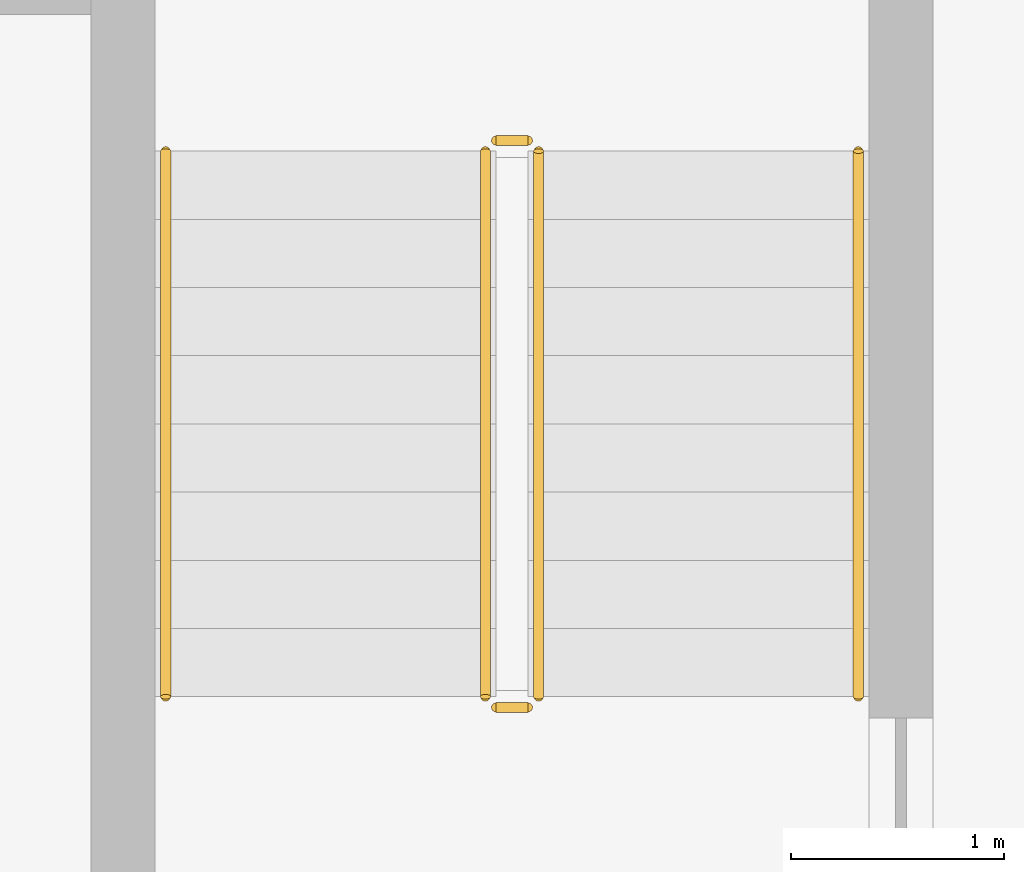
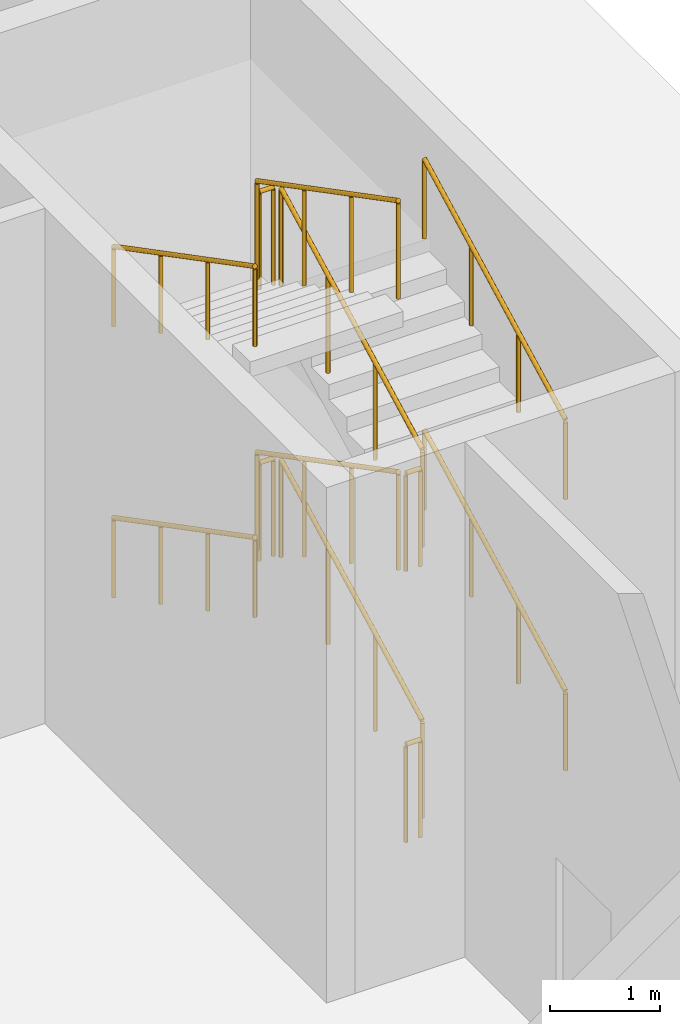
# One storey, part 43 of 44: 12 railings.
"""IFC4 building model written with IfcOpenShell, lengths in metres."""

from ifc_helpers import new_model, si_unit, direction, frame, origin, origin_2d, place, context, subcontext, project, spatial, circle, extrude, material, type_object, element, save


model = new_model("IFC4")

# Units and contexts
model_context = context("Model", 3, precision=1e-05, world=origin(), true_north=direction((0.0, 1.0)))
body_context = subcontext(model_context, "Body", "Model", "MODEL_VIEW")
ifc_project = project(units=[si_unit("LENGTHUNIT", "METRE"), si_unit("AREAUNIT", "SQUARE_METRE"), si_unit("VOLUMEUNIT", "CUBIC_METRE"), si_unit("PLANEANGLEUNIT", "RADIAN"), si_unit("MASSUNIT", "GRAM", prefix="KILO")], contexts=[model_context])

# Site, building, storey
site_placement = place(None, origin())
site = spatial("IfcSite", under=ifc_project, at=site_placement, CompositionType="ELEMENT")
building_placement = place(site_placement, origin())
building = spatial("IfcBuilding", under=site, at=building_placement, Name="Madar Terraces", CompositionType="ELEMENT")
storey_placement = place(building_placement, origin())
storey = spatial("IfcBuildingStorey", under=building, at=storey_placement, Name="L00", CompositionType="ELEMENT", Elevation=0.0)

# Railings
ifc_material_1 = material(Name="Stainless steel railing", Category="steel")
railing_type_1 = type_object("IfcRailingType", Name="Stair guard 1100", PredefinedType="GUARDRAIL", material=ifc_material_1)
railing_1_placement = place(storey_placement, frame((67.75, 6.300048828125, 0.166748046875)))
element("IfcRailing", 1, at=railing_1_placement, inside=storey, type_object=railing_type_1, Name="L00 PS3 stair guard 1", PredefinedType="GUARDRAIL", context=body_context, shape_type="SweptSolid", body=[
    extrude(circle(Radius=0.02392578125, at=origin_2d()), frame((0.0, 0.0, 1.076171875), z_axis=(0.0, 0.886929966286, 0.461903923888), x_axis=(-1.0, 0.0, 0.0)), (0.0, 0.0, 1.0), 2.886474609375),
    extrude(circle(Radius=0.02099609375, at=origin_2d()), origin(), (0.0, 0.0, 1.0), 1.052001953125),
    extrude(circle(Radius=0.02099609375, at=origin_2d()), frame((0.0, 0.853271484375, 0.4443359375)), (0.0, 0.0, 1.0), 1.052001953125),
    extrude(circle(Radius=0.02099609375, at=origin_2d()), frame((0.0, 1.706787109375, 0.888916015625)), (0.0, 0.0, 1.0), 1.052001953125),
    extrude(circle(Radius=0.02099609375, at=origin_2d()), frame((0.0, 2.56005859375, 1.333251953125)), (0.0, 0.0, 1.0), 1.052001953125),
])
railing_2_placement = place(storey_placement, frame((67.699951171875, 8.909912109375, 1.5)))
element("IfcRailing", 2, at=railing_2_placement, inside=storey, type_object=railing_type_1, Name="L00 PS3 stair guard 2", PredefinedType="GUARDRAIL", context=body_context, shape_type="SweptSolid", body=[
    extrude(circle(Radius=0.02392578125, at=origin_2d()), frame((0.0, 0.0, 1.076171875), z_axis=(-1.0, 0.0, 0.0), x_axis=(0.0, -1.0, 0.0)), (0.0, 0.0, 1.0), 0.14990234375),
    extrude(circle(Radius=0.02099609375, at=origin_2d()), origin(), (0.0, 0.0, 1.0), 1.052001953125),
    extrude(circle(Radius=0.02099609375, at=origin_2d()), frame((-0.14990234375, 0.0, 0.0)), (0.0, 0.0, 1.0), 1.052001953125),
])
railing_3_placement = place(storey_placement, frame((67.5, 8.860107421875, 1.666748046875)))
element("IfcRailing", 3, at=railing_3_placement, inside=storey, type_object=railing_type_1, Name="L00 PS3 stair guard 3", PredefinedType="GUARDRAIL", context=body_context, shape_type="SweptSolid", body=[
    extrude(circle(Radius=0.02392578125, at=origin_2d()), frame((0.0, 0.0, 1.076171875), z_axis=(0.0, -0.886929966286, 0.461903923888), x_axis=(1.0, 0.0, 0.0)), (0.0, 0.0, 1.0), 2.886474609375),
    extrude(circle(Radius=0.02099609375, at=origin_2d()), origin(), (0.0, 0.0, 1.0), 1.052001953125),
    extrude(circle(Radius=0.02099609375, at=origin_2d()), frame((0.0, -0.853271484375, 0.4443359375)), (0.0, 0.0, 1.0), 1.052001953125),
    extrude(circle(Radius=0.02099609375, at=origin_2d()), frame((0.0, -1.706787109375, 0.888916015625)), (0.0, 0.0, 1.0), 1.052001953125),
    extrude(circle(Radius=0.02099609375, at=origin_2d()), frame((0.0, -2.56005859375, 1.333251953125)), (0.0, 0.0, 1.0), 1.052001953125),
])
railing_4_placement = place(storey_placement, frame((67.699951171875, 6.25, 3.0)))
element("IfcRailing", 4, at=railing_4_placement, inside=storey, type_object=railing_type_1, Name="L00 PS3 stair guard 4", PredefinedType="GUARDRAIL", context=body_context, shape_type="SweptSolid", body=[
    extrude(circle(Radius=0.02392578125, at=origin_2d()), frame((0.0, 0.0, 1.076171875), z_axis=(-1.0, 0.0, 0.0), x_axis=(0.0, -1.0, 0.0)), (0.0, 0.0, 1.0), 0.14990234375),
    extrude(circle(Radius=0.02099609375, at=origin_2d()), origin(), (0.0, 0.0, 1.0), 1.052001953125),
    extrude(circle(Radius=0.02099609375, at=origin_2d()), frame((-0.14990234375, 0.0, 0.0)), (0.0, 0.0, 1.0), 1.052001953125),
])
railing_5_placement = place(storey_placement, frame((67.75, 6.300048828125, 3.166748046875)))
element("IfcRailing", 5, at=railing_5_placement, inside=storey, type_object=railing_type_1, Name="L00 PS3 stair guard 5", PredefinedType="GUARDRAIL", context=body_context, shape_type="SweptSolid", body=[
    extrude(circle(Radius=0.02392578125, at=origin_2d()), frame((0.0, 0.0, 1.076171875), z_axis=(0.0, 0.886929966286, 0.461903923888), x_axis=(-1.0, 0.0, 0.0)), (0.0, 0.0, 1.0), 2.886474609375),
    extrude(circle(Radius=0.02099609375, at=origin_2d()), origin(), (0.0, 0.0, 1.0), 1.052001953125),
    extrude(circle(Radius=0.02099609375, at=origin_2d()), frame((0.0, 0.853271484375, 0.4443359375)), (0.0, 0.0, 1.0), 1.052001953125),
    extrude(circle(Radius=0.02099609375, at=origin_2d()), frame((0.0, 1.706787109375, 0.888916015625)), (0.0, 0.0, 1.0), 1.052001953125),
    extrude(circle(Radius=0.02099609375, at=origin_2d()), frame((0.0, 2.56005859375, 1.333251953125)), (0.0, 0.0, 1.0), 1.052001953125),
])
railing_6_placement = place(storey_placement, frame((67.699951171875, 8.909912109375, 4.5)))
element("IfcRailing", 6, at=railing_6_placement, inside=storey, type_object=railing_type_1, Name="L00 PS3 stair guard 6", PredefinedType="GUARDRAIL", context=body_context, shape_type="SweptSolid", body=[
    extrude(circle(Radius=0.02392578125, at=origin_2d()), frame((0.0, 0.0, 1.076171875), z_axis=(-1.0, 0.0, 0.0), x_axis=(0.0, -1.0, 0.0)), (0.0, 0.0, 1.0), 0.14990234375),
    extrude(circle(Radius=0.02099609375, at=origin_2d()), origin(), (0.0, 0.0, 1.0), 1.052001953125),
    extrude(circle(Radius=0.02099609375, at=origin_2d()), frame((-0.14990234375, 0.0, 0.0)), (0.0, 0.0, 1.0), 1.052001953125),
])
railing_7_placement = place(storey_placement, frame((67.5, 8.860107421875, 4.666748046875)))
element("IfcRailing", 7, at=railing_7_placement, inside=storey, type_object=railing_type_1, Name="L00 PS3 stair guard 7", PredefinedType="GUARDRAIL", context=body_context, shape_type="SweptSolid", body=[
    extrude(circle(Radius=0.02392578125, at=origin_2d()), frame((0.0, 0.0, 1.076171875), z_axis=(0.0, -0.886929966286, 0.461903923888), x_axis=(1.0, 0.0, 0.0)), (0.0, 0.0, 1.0), 2.886474609375),
    extrude(circle(Radius=0.02099609375, at=origin_2d()), origin(), (0.0, 0.0, 1.0), 1.052001953125),
    extrude(circle(Radius=0.02099609375, at=origin_2d()), frame((0.0, -0.853271484375, 0.4443359375)), (0.0, 0.0, 1.0), 1.052001953125),
    extrude(circle(Radius=0.02099609375, at=origin_2d()), frame((0.0, -1.706787109375, 0.888916015625)), (0.0, 0.0, 1.0), 1.052001953125),
    extrude(circle(Radius=0.02099609375, at=origin_2d()), frame((0.0, -2.56005859375, 1.333251953125)), (0.0, 0.0, 1.0), 1.052001953125),
])
railing_8_placement = place(storey_placement, frame((67.699951171875, 6.25, 0.0)))
element("IfcRailing", 8, at=railing_8_placement, inside=storey, type_object=railing_type_1, Name="L00 PS3 stair guard 8", PredefinedType="GUARDRAIL", context=body_context, shape_type="SweptSolid", body=[
    extrude(circle(Radius=0.02392578125, at=origin_2d()), frame((0.0, 0.0, 1.076171875), z_axis=(-1.0, 0.0, 0.0), x_axis=(0.0, -1.0, 0.0)), (0.0, 0.0, 1.0), 0.14990234375),
    extrude(circle(Radius=0.02099609375, at=origin_2d()), origin(), (0.0, 0.0, 1.0), 1.052001953125),
    extrude(circle(Radius=0.02099609375, at=origin_2d()), frame((-0.14990234375, 0.0, 0.0)), (0.0, 0.0, 1.0), 1.052001953125),
])
ifc_material_2 = material(Name="Stainless steel railing", Category="steel")
railing_type_2 = type_object("IfcRailingType", Name="Stair handrail 900", PredefinedType="HANDRAIL", material=ifc_material_2)
railing_9_placement = place(storey_placement, frame((69.25, 6.300048828125, 0.166748046875)))
element("IfcRailing", 9, at=railing_9_placement, inside=storey, type_object=railing_type_2, Name="L00 PS3 stair handrail 1", PredefinedType="HANDRAIL", context=body_context, shape_type="SweptSolid", body=[
    extrude(circle(Radius=0.02392578125, at=origin_2d()), frame((0.0, 0.0, 0.8759765625), z_axis=(0.0, 0.886929966286, 0.461903923888), x_axis=(-1.0, 0.0, 0.0)), (0.0, 0.0, 1.0), 2.886474609375),
    extrude(circle(Radius=0.02099609375, at=origin_2d()), origin(), (0.0, 0.0, 1.0), 0.851806640625),
    extrude(circle(Radius=0.02099609375, at=origin_2d()), frame((0.0, 0.853271484375, 0.4443359375)), (0.0, 0.0, 1.0), 0.851806640625),
    extrude(circle(Radius=0.02099609375, at=origin_2d()), frame((0.0, 1.706787109375, 0.888916015625)), (0.0, 0.0, 1.0), 0.851806640625),
    extrude(circle(Radius=0.02099609375, at=origin_2d()), frame((0.0, 2.56005859375, 1.333251953125)), (0.0, 0.0, 1.0), 0.851806640625),
])
railing_10_placement = place(storey_placement, frame((66.0, 8.860107421875, 1.666748046875)))
element("IfcRailing", 10, at=railing_10_placement, inside=storey, type_object=railing_type_2, Name="L00 PS3 stair handrail 2", PredefinedType="HANDRAIL", context=body_context, shape_type="SweptSolid", body=[
    extrude(circle(Radius=0.02392578125, at=origin_2d()), frame((0.0, 0.0, 0.8759765625), z_axis=(0.0, -0.886929966286, 0.461903923888), x_axis=(1.0, 0.0, 0.0)), (0.0, 0.0, 1.0), 2.886474609375),
    extrude(circle(Radius=0.02099609375, at=origin_2d()), origin(), (0.0, 0.0, 1.0), 0.851806640625),
    extrude(circle(Radius=0.02099609375, at=origin_2d()), frame((0.0, -0.853271484375, 0.4443359375)), (0.0, 0.0, 1.0), 0.851806640625),
    extrude(circle(Radius=0.02099609375, at=origin_2d()), frame((0.0, -1.706787109375, 0.888916015625)), (0.0, 0.0, 1.0), 0.851806640625),
    extrude(circle(Radius=0.02099609375, at=origin_2d()), frame((0.0, -2.56005859375, 1.333251953125)), (0.0, 0.0, 1.0), 0.851806640625),
])
railing_11_placement = place(storey_placement, frame((69.25, 6.300048828125, 3.166748046875)))
element("IfcRailing", 11, at=railing_11_placement, inside=storey, type_object=railing_type_2, Name="L00 PS3 stair handrail 3", PredefinedType="HANDRAIL", context=body_context, shape_type="SweptSolid", body=[
    extrude(circle(Radius=0.02392578125, at=origin_2d()), frame((0.0, 0.0, 0.8759765625), z_axis=(0.0, 0.886929966286, 0.461903923888), x_axis=(-1.0, 0.0, 0.0)), (0.0, 0.0, 1.0), 2.886474609375),
    extrude(circle(Radius=0.02099609375, at=origin_2d()), origin(), (0.0, 0.0, 1.0), 0.851806640625),
    extrude(circle(Radius=0.02099609375, at=origin_2d()), frame((0.0, 0.853271484375, 0.4443359375)), (0.0, 0.0, 1.0), 0.851806640625),
    extrude(circle(Radius=0.02099609375, at=origin_2d()), frame((0.0, 1.706787109375, 0.888916015625)), (0.0, 0.0, 1.0), 0.851806640625),
    extrude(circle(Radius=0.02099609375, at=origin_2d()), frame((0.0, 2.56005859375, 1.333251953125)), (0.0, 0.0, 1.0), 0.851806640625),
])
railing_12_placement = place(storey_placement, frame((66.0, 8.860107421875, 4.666748046875)))
element("IfcRailing", 12, at=railing_12_placement, inside=storey, type_object=railing_type_2, Name="L00 PS3 stair handrail 4", PredefinedType="HANDRAIL", context=body_context, shape_type="SweptSolid", body=[
    extrude(circle(Radius=0.02392578125, at=origin_2d()), frame((0.0, 0.0, 0.8759765625), z_axis=(0.0, -0.886929966286, 0.461903923888), x_axis=(1.0, 0.0, 0.0)), (0.0, 0.0, 1.0), 2.886474609375),
    extrude(circle(Radius=0.02099609375, at=origin_2d()), origin(), (0.0, 0.0, 1.0), 0.851806640625),
    extrude(circle(Radius=0.02099609375, at=origin_2d()), frame((0.0, -0.853271484375, 0.4443359375)), (0.0, 0.0, 1.0), 0.851806640625),
    extrude(circle(Radius=0.02099609375, at=origin_2d()), frame((0.0, -1.706787109375, 0.888916015625)), (0.0, 0.0, 1.0), 0.851806640625),
    extrude(circle(Radius=0.02099609375, at=origin_2d()), frame((0.0, -2.56005859375, 1.333251953125)), (0.0, 0.0, 1.0), 0.851806640625),
])

save(model, "model.ifc")
